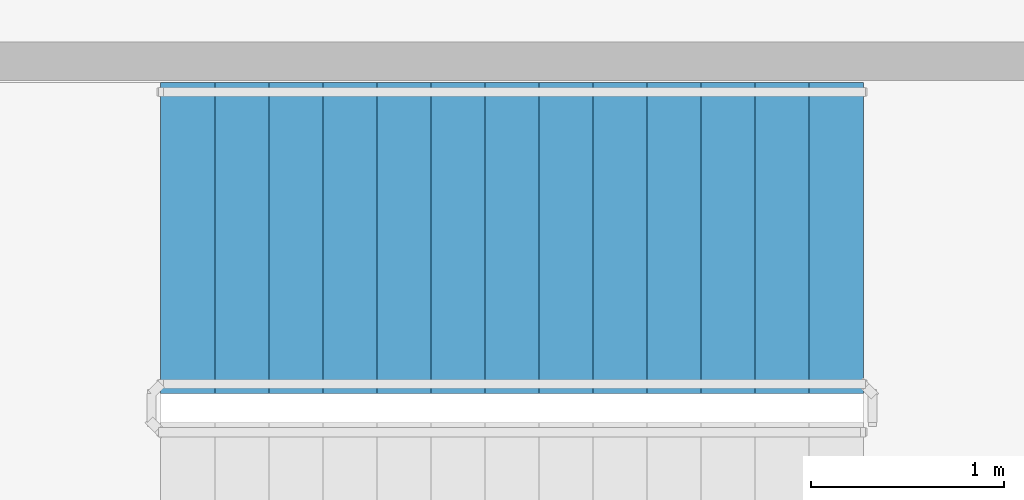
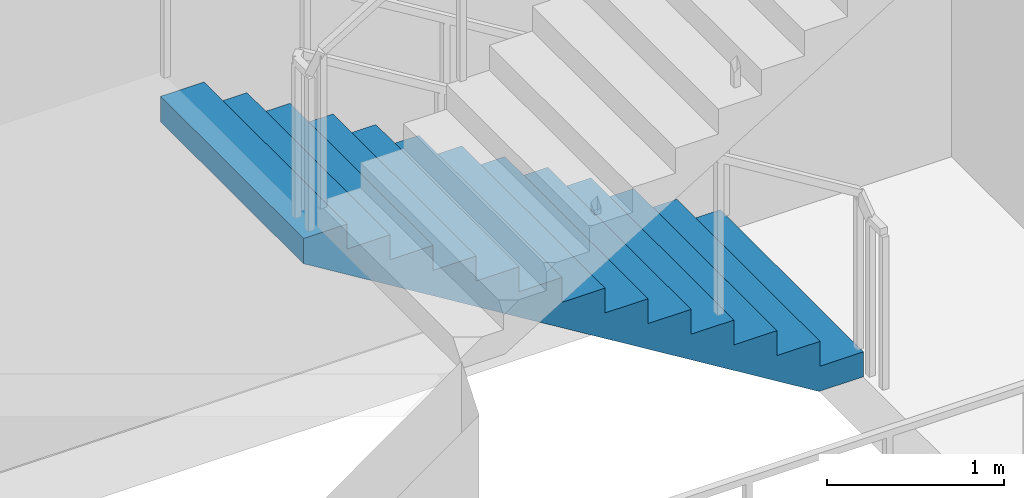
# One storey, part 21 of 26: 1 stair flight, 1 element without a shape of its own.
"""IFC4 building model written with IfcOpenShell, lengths in metres."""

from ifc_helpers import new_model, si_unit, direction, frame, origin, place, context, subcontext, project, spatial, polyline, outline, extrude, material, type_object, element, aggregate, save


model = new_model("IFC4")

# Units and contexts
model_context = context("Model", 3, precision=1e-05, world=origin(), true_north=direction((0.0, 1.0)))
body_context = subcontext(model_context, "Body", "Model", "MODEL_VIEW")
ifc_project = project(units=[si_unit("LENGTHUNIT", "METRE"), si_unit("AREAUNIT", "SQUARE_METRE"), si_unit("VOLUMEUNIT", "CUBIC_METRE"), si_unit("PLANEANGLEUNIT", "RADIAN"), si_unit("MASSUNIT", "GRAM", prefix="KILO")], contexts=[model_context])

# Site, building, storey
site_placement = place(None, origin())
site = spatial("IfcSite", under=ifc_project, at=site_placement, CompositionType="ELEMENT")
building_placement = place(site_placement, origin())
building = spatial("IfcBuilding", under=site, at=building_placement, Name="Chenar Terraces", CompositionType="ELEMENT")
storey_placement = place(building_placement, frame((0.0, 0.0, 16.800048828125)))
storey = spatial("IfcBuildingStorey", under=building, at=storey_placement, Name="L03", CompositionType="ELEMENT", Elevation=16.800048828125)

# Stair, stair flight
ifc_material_1 = material(Name="Reinforced concrete C40/50", Category="concrete")
stair_type = type_object("IfcStairType", Name="Core stair 1400 half-turn", PredefinedType="HALF_TURN_STAIR", material=ifc_material_1)
stair_placement = place(storey_placement, origin())
stair = element("IfcStair", 1, at=stair_placement, inside=storey, type_object=stair_type, Name="L03 Exit stair PS3", PredefinedType="HALF_TURN_STAIR")
ifc_material_2 = material(Name="Reinforced concrete C40/50", Category="concrete")
stair_flight_type = type_object("IfcStairFlightType", Name="Core stair flight 1400", PredefinedType="STRAIGHT", material=ifc_material_2)
stair_flight_placement = place(storey_placement, frame((10.985107421875, 58.6826171875, 0.0), z_axis=(0.0, 0.0, 1.0), x_axis=(-1.0, 0.0, 0.0)))
stair_flight = element("IfcStairFlight", 2, at=stair_flight_placement, type_object=stair_flight_type, Name="PS3 flight 1", NumberOfRisers=14, NumberOfTreads=13, PredefinedType="STRAIGHT", RiserHeight=0.171428571, TreadLength=0.28, context=body_context, shape_type="SweptSolid", body=[
    extrude(outline(polyline([(-0.0029296875, 0.0), (-0.0029296875, 0.17138671875), (0.0, 0.17138671875), (0.280029296875, 0.17138671875), (0.280029296875, 0.3427734375), (0.56005859375, 0.3427734375), (0.56005859375, 0.514404296875), (0.840087890625, 0.514404296875), (0.840087890625, 0.685791015625), (1.1201171875, 0.685791015625), (1.1201171875, 0.857177734375), (1.39990234375, 0.857177734375), (1.39990234375, 1.028564453125), (1.679931640625, 1.028564453125), (1.679931640625, 1.199951171875), (1.9599609375, 1.199951171875), (1.9599609375, 1.371337890625), (2.239990234375, 1.371337890625), (2.239990234375, 1.54296875), (2.52001953125, 1.54296875), (2.52001953125, 1.71435546875), (2.800048828125, 1.71435546875), (2.800048828125, 1.8857421875), (3.080078125, 1.8857421875), (3.080078125, 2.05712890625), (3.360107421875, 2.05712890625), (3.360107421875, 2.228515625), (3.639892578125, 2.228515625), (3.64306640625, 2.228515625), (3.64306640625, 2.052734375), (3.639892578125, 2.052734375), (0.287109375, 0.0), (-0.0029296875, 0.0)])), frame((0.0, 0.8076171875, 0.0), z_axis=(0.0, -1.0, 0.0), x_axis=(1.0, 0.0, 0.0)), (0.0, 0.0, 1.0), 1.614990234375),
])
aggregate(stair, [stair_flight])

save(model, "model.ifc")
